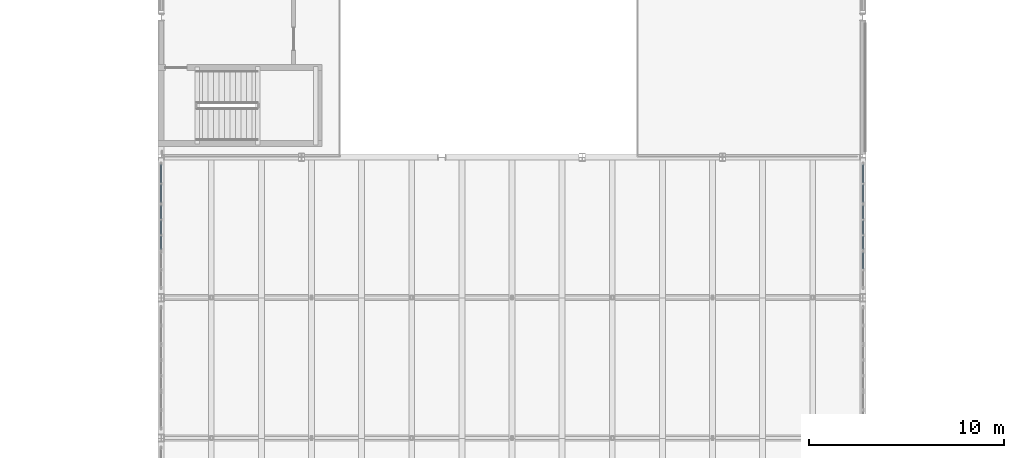
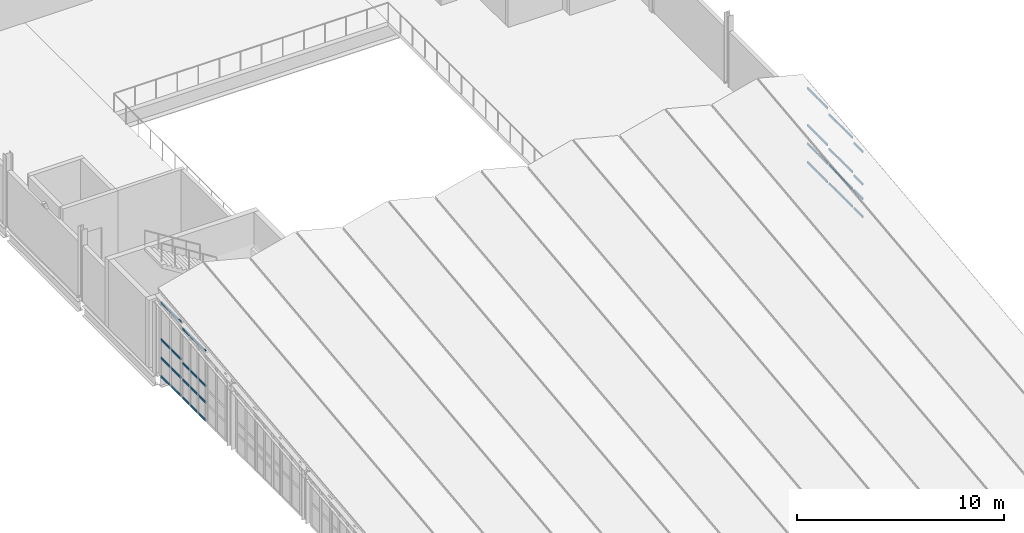
# One storey, part 28 of 48: 44 members, 5 elements without a shape of their own.
"""IFC4 building model written with IfcOpenShell, lengths in metres."""

from ifc_helpers import new_model, si_unit, direction, frame, origin, origin_2d, place, context, subcontext, project, spatial, hollow_rectangle, extrude, material, layer, layer_set, material_profile, profile_set, type_object, element, aggregate, save


model = new_model("IFC4")

# Units and contexts
model_context = context("Model", 3, precision=1e-05, world=origin(), true_north=direction((0.0, 1.0)))
body_context = subcontext(model_context, "Body", "Model", "MODEL_VIEW")
ifc_project = project(units=[si_unit("LENGTHUNIT", "METRE"), si_unit("AREAUNIT", "SQUARE_METRE"), si_unit("VOLUMEUNIT", "CUBIC_METRE"), si_unit("PLANEANGLEUNIT", "RADIAN"), si_unit("MASSUNIT", "GRAM", prefix="KILO"), si_unit("THERMODYNAMICTEMPERATUREUNIT", "KELVIN"), si_unit("POWERUNIT", "WATT")], contexts=[model_context])

# Site, building, storey
site_placement = place(None, origin())
site = spatial("IfcSite", under=ifc_project, at=site_placement, CompositionType="ELEMENT")
building_placement = place(site_placement, origin())
building = spatial("IfcBuilding", under=site, at=building_placement, Name="Kaldorven Railside Theatre", CompositionType="ELEMENT")
storey_placement = place(building_placement, frame((0.0, 0.0, 18.89990234375)))
storey = spatial("IfcBuildingStorey", under=building, at=storey_placement, Name="L04", CompositionType="ELEMENT", Elevation=18.89990234375)

# Curtain wall, members
ifc_material_1 = material(Name="Low-E laminated solar-control glass", Category="glass")
ifc_layer_1 = layer(ifc_material_1, 0.159912109375, Name="Low-E laminated solar-control glass")
ifc_layer_set_1 = layer_set([ifc_layer_1], Name="Low-E laminated solar-control glass")
curtain_wall_type_1 = type_object("IfcCurtainWallType", Name="CWT-39", PredefinedType="USERDEFINED", material=ifc_layer_set_1)
curtain_wall_1_placement = place(storey_placement, origin())
curtain_wall_1 = element("IfcCurtainWall", 1, at=curtain_wall_1_placement, inside=storey, type_object=curtain_wall_type_1, Name="Main Theatre West Eave Clerestory CWG-015", ObjectType="FLUTED GLAZING", PredefinedType="USERDEFINED")
ifc_material_2 = material(Name="Anodised bronze aluminium", Category="aluminium")
ifc_material_profile = material_profile(ifc_material_2, hollow_rectangle(XDim=0.06005859375, YDim=0.1201171875, WallThickness=0.0048828125, at=origin_2d()), Name="RHS 120x60x5")
ifc_profile_set = profile_set([ifc_material_profile], Name="Anodised bronze aluminium")
member_type = type_object("IfcMemberType", Name="CWT-120", PredefinedType="USERDEFINED", material=ifc_profile_set)
member_1_placement = place(storey_placement, frame((87.199951171875, 79.280029296875, 0.050048828125), z_axis=(0.0, 1.0, 0.0), x_axis=(-1.0, 0.0, 0.0)))
member_1 = element("IfcMember", 2, at=member_1_placement, type_object=member_type, Name="CWG-015 transom 1.1", ObjectType="TRANSOM", PredefinedType="USERDEFINED", context=body_context, shape_type="SweptSolid", body=[
    extrude(hollow_rectangle(XDim=0.06005859375, YDim=0.1201171875, WallThickness=0.0048828125, at=origin_2d()), origin(), (0.0, 0.0, 1.0), 0.679931640625),
])
member_2_placement = place(storey_placement, frame((87.199951171875, 79.280029296875, 1.1201171875), z_axis=(0.0, 1.0, 0.0), x_axis=(-1.0, 0.0, 0.0)))
member_2 = element("IfcMember", 3, at=member_2_placement, type_object=member_type, Name="CWG-015 transom 1.2", ObjectType="TRANSOM", PredefinedType="USERDEFINED", context=body_context, shape_type="SweptSolid", body=[
    extrude(hollow_rectangle(XDim=0.06005859375, YDim=0.1201171875, WallThickness=0.0048828125, at=origin_2d()), origin(), (0.0, 0.0, 1.0), 0.679931640625),
])
member_3_placement = place(storey_placement, frame((87.199951171875, 79.280029296875, 2.080078125), z_axis=(0.0, 1.0, 0.0), x_axis=(-1.0, 0.0, 0.0)))
member_3 = element("IfcMember", 4, at=member_3_placement, type_object=member_type, Name="CWG-015 transom 1.3", ObjectType="TRANSOM", PredefinedType="USERDEFINED", context=body_context, shape_type="SweptSolid", body=[
    extrude(hollow_rectangle(XDim=0.06005859375, YDim=0.1201171875, WallThickness=0.0048828125, at=origin_2d()), origin(), (0.0, 0.0, 1.0), 0.679931640625),
])
member_4_placement = place(storey_placement, frame((87.199951171875, 79.280029296875, 4.110107421875), z_axis=(0.0, 1.0, 0.0), x_axis=(-1.0, 0.0, 0.0)))
member_4 = element("IfcMember", 5, at=member_4_placement, type_object=member_type, Name="CWG-015 transom 1.4", ObjectType="TRANSOM", PredefinedType="USERDEFINED", context=body_context, shape_type="SweptSolid", body=[
    extrude(hollow_rectangle(XDim=0.06005859375, YDim=0.1201171875, WallThickness=0.0048828125, at=origin_2d()), origin(), (0.0, 0.0, 1.0), 0.679931640625),
])
member_5_placement = place(storey_placement, frame((87.199951171875, 80.0400390625, 0.050048828125), z_axis=(0.0, 1.0, 0.0), x_axis=(-1.0, 0.0, 0.0)))
member_5 = element("IfcMember", 6, at=member_5_placement, type_object=member_type, Name="CWG-015 transom 2.1", ObjectType="TRANSOM", PredefinedType="USERDEFINED", context=body_context, shape_type="SweptSolid", body=[
    extrude(hollow_rectangle(XDim=0.06005859375, YDim=0.1201171875, WallThickness=0.0048828125, at=origin_2d()), origin(), (0.0, 0.0, 1.0), 0.719970703125),
])
member_6_placement = place(storey_placement, frame((87.199951171875, 80.0400390625, 1.1201171875), z_axis=(0.0, 1.0, 0.0), x_axis=(-1.0, 0.0, 0.0)))
member_6 = element("IfcMember", 7, at=member_6_placement, type_object=member_type, Name="CWG-015 transom 2.2", ObjectType="TRANSOM", PredefinedType="USERDEFINED", context=body_context, shape_type="SweptSolid", body=[
    extrude(hollow_rectangle(XDim=0.06005859375, YDim=0.1201171875, WallThickness=0.0048828125, at=origin_2d()), origin(), (0.0, 0.0, 1.0), 0.719970703125),
])
member_7_placement = place(storey_placement, frame((87.199951171875, 80.0400390625, 2.080078125), z_axis=(0.0, 1.0, 0.0), x_axis=(-1.0, 0.0, 0.0)))
member_7 = element("IfcMember", 8, at=member_7_placement, type_object=member_type, Name="CWG-015 transom 2.3", ObjectType="TRANSOM", PredefinedType="USERDEFINED", context=body_context, shape_type="SweptSolid", body=[
    extrude(hollow_rectangle(XDim=0.06005859375, YDim=0.1201171875, WallThickness=0.0048828125, at=origin_2d()), origin(), (0.0, 0.0, 1.0), 0.719970703125),
])
member_8_placement = place(storey_placement, frame((87.199951171875, 80.0400390625, 4.110107421875), z_axis=(0.0, 1.0, 0.0), x_axis=(-1.0, 0.0, 0.0)))
member_8 = element("IfcMember", 9, at=member_8_placement, type_object=member_type, Name="CWG-015 transom 2.4", ObjectType="TRANSOM", PredefinedType="USERDEFINED", context=body_context, shape_type="SweptSolid", body=[
    extrude(hollow_rectangle(XDim=0.06005859375, YDim=0.1201171875, WallThickness=0.0048828125, at=origin_2d()), origin(), (0.0, 0.0, 1.0), 0.719970703125),
])
member_9_placement = place(storey_placement, frame((87.199951171875, 80.840087890625, 0.050048828125), z_axis=(0.0, 1.0, 0.0), x_axis=(-1.0, 0.0, 0.0)))
member_9 = element("IfcMember", 10, at=member_9_placement, type_object=member_type, Name="CWG-015 transom 3.1", ObjectType="TRANSOM", PredefinedType="USERDEFINED", context=body_context, shape_type="SweptSolid", body=[
    extrude(hollow_rectangle(XDim=0.06005859375, YDim=0.1201171875, WallThickness=0.0048828125, at=origin_2d()), origin(), (0.0, 0.0, 1.0), 0.679931640625),
])
member_10_placement = place(storey_placement, frame((87.199951171875, 80.840087890625, 1.1201171875), z_axis=(0.0, 1.0, 0.0), x_axis=(-1.0, 0.0, 0.0)))
member_10 = element("IfcMember", 11, at=member_10_placement, type_object=member_type, Name="CWG-015 transom 3.2", ObjectType="TRANSOM", PredefinedType="USERDEFINED", context=body_context, shape_type="SweptSolid", body=[
    extrude(hollow_rectangle(XDim=0.06005859375, YDim=0.1201171875, WallThickness=0.0048828125, at=origin_2d()), origin(), (0.0, 0.0, 1.0), 0.679931640625),
])
member_11_placement = place(storey_placement, frame((87.199951171875, 80.840087890625, 2.080078125), z_axis=(0.0, 1.0, 0.0), x_axis=(-1.0, 0.0, 0.0)))
member_11 = element("IfcMember", 12, at=member_11_placement, type_object=member_type, Name="CWG-015 transom 3.3", ObjectType="TRANSOM", PredefinedType="USERDEFINED", context=body_context, shape_type="SweptSolid", body=[
    extrude(hollow_rectangle(XDim=0.06005859375, YDim=0.1201171875, WallThickness=0.0048828125, at=origin_2d()), origin(), (0.0, 0.0, 1.0), 0.679931640625),
])
member_12_placement = place(storey_placement, frame((87.199951171875, 80.840087890625, 4.110107421875), z_axis=(0.0, 1.0, 0.0), x_axis=(-1.0, 0.0, 0.0)))
member_12 = element("IfcMember", 13, at=member_12_placement, type_object=member_type, Name="CWG-015 transom 3.4", ObjectType="TRANSOM", PredefinedType="USERDEFINED", context=body_context, shape_type="SweptSolid", body=[
    extrude(hollow_rectangle(XDim=0.06005859375, YDim=0.1201171875, WallThickness=0.0048828125, at=origin_2d()), origin(), (0.0, 0.0, 1.0), 0.679931640625),
])
aggregate(curtain_wall_1, [member_1, member_2, member_3, member_4, member_5, member_6, member_7, member_8, member_9, member_10, member_11, member_12])

ifc_layer_2 = layer(ifc_material_1, 0.159912109375, Name="Low-E laminated solar-control glass")
ifc_layer_set_2 = layer_set([ifc_layer_2], Name="Low-E laminated solar-control glass")
curtain_wall_type_2 = type_object("IfcCurtainWallType", Name="CWT-40", PredefinedType="USERDEFINED", material=ifc_layer_set_2)
curtain_wall_2_placement = place(storey_placement, origin())
curtain_wall_2 = element("IfcCurtainWall", 14, at=curtain_wall_2_placement, inside=storey, type_object=curtain_wall_type_2, Name="Main Theatre West Eave Clerestory CWG-016", ObjectType="FLUTED GLAZING", PredefinedType="USERDEFINED")
member_13_placement = place(storey_placement, frame((87.199951171875, 81.679931640625, 0.050048828125), z_axis=(0.0, 1.0, 0.0), x_axis=(-1.0, 0.0, 0.0)))
member_13 = element("IfcMember", 15, at=member_13_placement, type_object=member_type, Name="CWG-016 transom 1.1", ObjectType="TRANSOM", PredefinedType="USERDEFINED", context=body_context, shape_type="SweptSolid", body=[
    extrude(hollow_rectangle(XDim=0.06005859375, YDim=0.1201171875, WallThickness=0.0048828125, at=origin_2d()), origin(), (0.0, 0.0, 1.0), 0.929931640625),
])
member_14_placement = place(storey_placement, frame((87.199951171875, 81.679931640625, 1.1201171875), z_axis=(0.0, 1.0, 0.0), x_axis=(-1.0, 0.0, 0.0)))
member_14 = element("IfcMember", 16, at=member_14_placement, type_object=member_type, Name="CWG-016 transom 1.2", ObjectType="TRANSOM", PredefinedType="USERDEFINED", context=body_context, shape_type="SweptSolid", body=[
    extrude(hollow_rectangle(XDim=0.06005859375, YDim=0.1201171875, WallThickness=0.0048828125, at=origin_2d()), origin(), (0.0, 0.0, 1.0), 0.929931640625),
])
member_15_placement = place(storey_placement, frame((87.199951171875, 81.679931640625, 2.22021484375), z_axis=(0.0, 1.0, 0.0), x_axis=(-1.0, 0.0, 0.0)))
member_15 = element("IfcMember", 17, at=member_15_placement, type_object=member_type, Name="CWG-016 transom 1.3", ObjectType="TRANSOM", PredefinedType="USERDEFINED", context=body_context, shape_type="SweptSolid", body=[
    extrude(hollow_rectangle(XDim=0.06005859375, YDim=0.1201171875, WallThickness=0.0048828125, at=origin_2d()), origin(), (0.0, 0.0, 1.0), 0.929931640625),
])
member_16_placement = place(storey_placement, frame((87.199951171875, 81.679931640625, 4.39013671875), z_axis=(0.0, 1.0, 0.0), x_axis=(-1.0, 0.0, 0.0)))
member_16 = element("IfcMember", 18, at=member_16_placement, type_object=member_type, Name="CWG-016 transom 1.4", ObjectType="TRANSOM", PredefinedType="USERDEFINED", context=body_context, shape_type="SweptSolid", body=[
    extrude(hollow_rectangle(XDim=0.06005859375, YDim=0.1201171875, WallThickness=0.0048828125, at=origin_2d()), origin(), (0.0, 0.0, 1.0), 0.929931640625),
])
member_17_placement = place(storey_placement, frame((87.199951171875, 82.68994140625, 0.050048828125), z_axis=(0.0, 1.0, 0.0), x_axis=(-1.0, 0.0, 0.0)))
member_17 = element("IfcMember", 19, at=member_17_placement, type_object=member_type, Name="CWG-016 transom 2.1", ObjectType="TRANSOM", PredefinedType="USERDEFINED", context=body_context, shape_type="SweptSolid", body=[
    extrude(hollow_rectangle(XDim=0.06005859375, YDim=0.1201171875, WallThickness=0.0048828125, at=origin_2d()), origin(), (0.0, 0.0, 1.0), 0.9296875),
])
member_18_placement = place(storey_placement, frame((87.199951171875, 82.68994140625, 1.1201171875), z_axis=(0.0, 1.0, 0.0), x_axis=(-1.0, 0.0, 0.0)))
member_18 = element("IfcMember", 20, at=member_18_placement, type_object=member_type, Name="CWG-016 transom 2.2", ObjectType="TRANSOM", PredefinedType="USERDEFINED", context=body_context, shape_type="SweptSolid", body=[
    extrude(hollow_rectangle(XDim=0.06005859375, YDim=0.1201171875, WallThickness=0.0048828125, at=origin_2d()), origin(), (0.0, 0.0, 1.0), 0.9296875),
])
member_19_placement = place(storey_placement, frame((87.199951171875, 82.68994140625, 2.22021484375), z_axis=(0.0, 1.0, 0.0), x_axis=(-1.0, 0.0, 0.0)))
member_19 = element("IfcMember", 21, at=member_19_placement, type_object=member_type, Name="CWG-016 transom 2.3", ObjectType="TRANSOM", PredefinedType="USERDEFINED", context=body_context, shape_type="SweptSolid", body=[
    extrude(hollow_rectangle(XDim=0.06005859375, YDim=0.1201171875, WallThickness=0.0048828125, at=origin_2d()), origin(), (0.0, 0.0, 1.0), 0.9296875),
])
member_20_placement = place(storey_placement, frame((87.199951171875, 82.68994140625, 4.39013671875), z_axis=(0.0, 1.0, 0.0), x_axis=(-1.0, 0.0, 0.0)))
member_20 = element("IfcMember", 22, at=member_20_placement, type_object=member_type, Name="CWG-016 transom 2.4", ObjectType="TRANSOM", PredefinedType="USERDEFINED", context=body_context, shape_type="SweptSolid", body=[
    extrude(hollow_rectangle(XDim=0.06005859375, YDim=0.1201171875, WallThickness=0.0048828125, at=origin_2d()), origin(), (0.0, 0.0, 1.0), 0.9296875),
])
aggregate(curtain_wall_2, [member_13, member_14, member_15, member_16, member_17, member_18, member_19, member_20])

ifc_layer_3 = layer(ifc_material_1, 0.159912109375, Name="Low-E laminated solar-control glass")
ifc_layer_set_3 = layer_set([ifc_layer_3], Name="Low-E laminated solar-control glass")
curtain_wall_type_3 = type_object("IfcCurtainWallType", Name="CWT-38", PredefinedType="USERDEFINED", material=ifc_layer_set_3)
curtain_wall_3_placement = place(storey_placement, origin())
curtain_wall_3 = element("IfcCurtainWall", 23, at=curtain_wall_3_placement, inside=storey, type_object=curtain_wall_type_3, Name="Main Theatre East Eave Clerestory CWG-030", ObjectType="FLUTED GLAZING", PredefinedType="USERDEFINED")
member_21_placement = place(storey_placement, frame((123.199951171875, 78.2724609375, 0.050048828125), z_axis=(0.0, 1.0, 0.0), x_axis=(-1.0, 0.0, 0.0)))
member_21 = element("IfcMember", 24, at=member_21_placement, type_object=member_type, Name="CWG-030 transom 2.1", ObjectType="TRANSOM", PredefinedType="USERDEFINED", context=body_context, shape_type="SweptSolid", body=[
    extrude(hollow_rectangle(XDim=0.06005859375, YDim=0.1201171875, WallThickness=0.0048828125, at=origin_2d()), origin(), (0.0, 0.0, 1.0), 0.84765625),
])
member_22_placement = place(storey_placement, frame((123.199951171875, 78.2724609375, 1.1201171875), z_axis=(0.0, 1.0, 0.0), x_axis=(-1.0, 0.0, 0.0)))
member_22 = element("IfcMember", 25, at=member_22_placement, type_object=member_type, Name="CWG-030 transom 2.2", ObjectType="TRANSOM", PredefinedType="USERDEFINED", context=body_context, shape_type="SweptSolid", body=[
    extrude(hollow_rectangle(XDim=0.06005859375, YDim=0.1201171875, WallThickness=0.0048828125, at=origin_2d()), origin(), (0.0, 0.0, 1.0), 0.84765625),
])
member_23_placement = place(storey_placement, frame((123.199951171875, 78.2724609375, 1.97021484375), z_axis=(0.0, 1.0, 0.0), x_axis=(-1.0, 0.0, 0.0)))
member_23 = element("IfcMember", 26, at=member_23_placement, type_object=member_type, Name="CWG-030 transom 2.3", ObjectType="TRANSOM", PredefinedType="USERDEFINED", context=body_context, shape_type="SweptSolid", body=[
    extrude(hollow_rectangle(XDim=0.06005859375, YDim=0.1201171875, WallThickness=0.0048828125, at=origin_2d()), origin(), (0.0, 0.0, 1.0), 0.84765625),
])
member_24_placement = place(storey_placement, frame((123.199951171875, 78.2724609375, 3.89013671875), z_axis=(0.0, 1.0, 0.0), x_axis=(-1.0, 0.0, 0.0)))
member_24 = element("IfcMember", 27, at=member_24_placement, type_object=member_type, Name="CWG-030 transom 2.4", ObjectType="TRANSOM", PredefinedType="USERDEFINED", context=body_context, shape_type="SweptSolid", body=[
    extrude(hollow_rectangle(XDim=0.06005859375, YDim=0.1201171875, WallThickness=0.0048828125, at=origin_2d()), origin(), (0.0, 0.0, 1.0), 0.84765625),
])
aggregate(curtain_wall_3, [member_21, member_22, member_23, member_24])

curtain_wall_4_placement = place(storey_placement, origin())
curtain_wall_4 = element("IfcCurtainWall", 28, at=curtain_wall_4_placement, inside=storey, type_object=curtain_wall_type_1, Name="Main Theatre East Eave Clerestory CWG-031", ObjectType="FLUTED GLAZING", PredefinedType="USERDEFINED")
member_25_placement = place(storey_placement, frame((123.199951171875, 79.280029296875, 0.050048828125), z_axis=(0.0, 1.0, 0.0), x_axis=(-1.0, 0.0, 0.0)))
member_25 = element("IfcMember", 29, at=member_25_placement, type_object=member_type, Name="CWG-031 transom 1.1", ObjectType="TRANSOM", PredefinedType="USERDEFINED", context=body_context, shape_type="SweptSolid", body=[
    extrude(hollow_rectangle(XDim=0.06005859375, YDim=0.1201171875, WallThickness=0.0048828125, at=origin_2d()), origin(), (0.0, 0.0, 1.0), 0.679931640625),
])
member_26_placement = place(storey_placement, frame((123.199951171875, 79.280029296875, 1.1201171875), z_axis=(0.0, 1.0, 0.0), x_axis=(-1.0, 0.0, 0.0)))
member_26 = element("IfcMember", 30, at=member_26_placement, type_object=member_type, Name="CWG-031 transom 1.2", ObjectType="TRANSOM", PredefinedType="USERDEFINED", context=body_context, shape_type="SweptSolid", body=[
    extrude(hollow_rectangle(XDim=0.06005859375, YDim=0.1201171875, WallThickness=0.0048828125, at=origin_2d()), origin(), (0.0, 0.0, 1.0), 0.679931640625),
])
member_27_placement = place(storey_placement, frame((123.199951171875, 79.280029296875, 2.080078125), z_axis=(0.0, 1.0, 0.0), x_axis=(-1.0, 0.0, 0.0)))
member_27 = element("IfcMember", 31, at=member_27_placement, type_object=member_type, Name="CWG-031 transom 1.3", ObjectType="TRANSOM", PredefinedType="USERDEFINED", context=body_context, shape_type="SweptSolid", body=[
    extrude(hollow_rectangle(XDim=0.06005859375, YDim=0.1201171875, WallThickness=0.0048828125, at=origin_2d()), origin(), (0.0, 0.0, 1.0), 0.679931640625),
])
member_28_placement = place(storey_placement, frame((123.199951171875, 79.280029296875, 4.110107421875), z_axis=(0.0, 1.0, 0.0), x_axis=(-1.0, 0.0, 0.0)))
member_28 = element("IfcMember", 32, at=member_28_placement, type_object=member_type, Name="CWG-031 transom 1.4", ObjectType="TRANSOM", PredefinedType="USERDEFINED", context=body_context, shape_type="SweptSolid", body=[
    extrude(hollow_rectangle(XDim=0.06005859375, YDim=0.1201171875, WallThickness=0.0048828125, at=origin_2d()), origin(), (0.0, 0.0, 1.0), 0.679931640625),
])
member_29_placement = place(storey_placement, frame((123.199951171875, 80.0400390625, 0.050048828125), z_axis=(0.0, 1.0, 0.0), x_axis=(-1.0, 0.0, 0.0)))
member_29 = element("IfcMember", 33, at=member_29_placement, type_object=member_type, Name="CWG-031 transom 2.1", ObjectType="TRANSOM", PredefinedType="USERDEFINED", context=body_context, shape_type="SweptSolid", body=[
    extrude(hollow_rectangle(XDim=0.06005859375, YDim=0.1201171875, WallThickness=0.0048828125, at=origin_2d()), origin(), (0.0, 0.0, 1.0), 0.719970703125),
])
member_30_placement = place(storey_placement, frame((123.199951171875, 80.0400390625, 1.1201171875), z_axis=(0.0, 1.0, 0.0), x_axis=(-1.0, 0.0, 0.0)))
member_30 = element("IfcMember", 34, at=member_30_placement, type_object=member_type, Name="CWG-031 transom 2.2", ObjectType="TRANSOM", PredefinedType="USERDEFINED", context=body_context, shape_type="SweptSolid", body=[
    extrude(hollow_rectangle(XDim=0.06005859375, YDim=0.1201171875, WallThickness=0.0048828125, at=origin_2d()), origin(), (0.0, 0.0, 1.0), 0.719970703125),
])
member_31_placement = place(storey_placement, frame((123.199951171875, 80.0400390625, 2.080078125), z_axis=(0.0, 1.0, 0.0), x_axis=(-1.0, 0.0, 0.0)))
member_31 = element("IfcMember", 35, at=member_31_placement, type_object=member_type, Name="CWG-031 transom 2.3", ObjectType="TRANSOM", PredefinedType="USERDEFINED", context=body_context, shape_type="SweptSolid", body=[
    extrude(hollow_rectangle(XDim=0.06005859375, YDim=0.1201171875, WallThickness=0.0048828125, at=origin_2d()), origin(), (0.0, 0.0, 1.0), 0.719970703125),
])
member_32_placement = place(storey_placement, frame((123.199951171875, 80.0400390625, 4.110107421875), z_axis=(0.0, 1.0, 0.0), x_axis=(-1.0, 0.0, 0.0)))
member_32 = element("IfcMember", 36, at=member_32_placement, type_object=member_type, Name="CWG-031 transom 2.4", ObjectType="TRANSOM", PredefinedType="USERDEFINED", context=body_context, shape_type="SweptSolid", body=[
    extrude(hollow_rectangle(XDim=0.06005859375, YDim=0.1201171875, WallThickness=0.0048828125, at=origin_2d()), origin(), (0.0, 0.0, 1.0), 0.719970703125),
])
member_33_placement = place(storey_placement, frame((123.199951171875, 80.840087890625, 0.050048828125), z_axis=(0.0, 1.0, 0.0), x_axis=(-1.0, 0.0, 0.0)))
member_33 = element("IfcMember", 37, at=member_33_placement, type_object=member_type, Name="CWG-031 transom 3.1", ObjectType="TRANSOM", PredefinedType="USERDEFINED", context=body_context, shape_type="SweptSolid", body=[
    extrude(hollow_rectangle(XDim=0.06005859375, YDim=0.1201171875, WallThickness=0.0048828125, at=origin_2d()), origin(), (0.0, 0.0, 1.0), 0.679931640625),
])
member_34_placement = place(storey_placement, frame((123.199951171875, 80.840087890625, 1.1201171875), z_axis=(0.0, 1.0, 0.0), x_axis=(-1.0, 0.0, 0.0)))
member_34 = element("IfcMember", 38, at=member_34_placement, type_object=member_type, Name="CWG-031 transom 3.2", ObjectType="TRANSOM", PredefinedType="USERDEFINED", context=body_context, shape_type="SweptSolid", body=[
    extrude(hollow_rectangle(XDim=0.06005859375, YDim=0.1201171875, WallThickness=0.0048828125, at=origin_2d()), origin(), (0.0, 0.0, 1.0), 0.679931640625),
])
member_35_placement = place(storey_placement, frame((123.199951171875, 80.840087890625, 2.080078125), z_axis=(0.0, 1.0, 0.0), x_axis=(-1.0, 0.0, 0.0)))
member_35 = element("IfcMember", 39, at=member_35_placement, type_object=member_type, Name="CWG-031 transom 3.3", ObjectType="TRANSOM", PredefinedType="USERDEFINED", context=body_context, shape_type="SweptSolid", body=[
    extrude(hollow_rectangle(XDim=0.06005859375, YDim=0.1201171875, WallThickness=0.0048828125, at=origin_2d()), origin(), (0.0, 0.0, 1.0), 0.679931640625),
])
member_36_placement = place(storey_placement, frame((123.199951171875, 80.840087890625, 4.110107421875), z_axis=(0.0, 1.0, 0.0), x_axis=(-1.0, 0.0, 0.0)))
member_36 = element("IfcMember", 40, at=member_36_placement, type_object=member_type, Name="CWG-031 transom 3.4", ObjectType="TRANSOM", PredefinedType="USERDEFINED", context=body_context, shape_type="SweptSolid", body=[
    extrude(hollow_rectangle(XDim=0.06005859375, YDim=0.1201171875, WallThickness=0.0048828125, at=origin_2d()), origin(), (0.0, 0.0, 1.0), 0.679931640625),
])
aggregate(curtain_wall_4, [member_25, member_26, member_27, member_28, member_29, member_30, member_31, member_32, member_33, member_34, member_35, member_36])

curtain_wall_5_placement = place(storey_placement, origin())
curtain_wall_5 = element("IfcCurtainWall", 41, at=curtain_wall_5_placement, inside=storey, type_object=curtain_wall_type_2, Name="Main Theatre East Eave Clerestory CWG-032", ObjectType="FLUTED GLAZING", PredefinedType="USERDEFINED")
member_37_placement = place(storey_placement, frame((123.199951171875, 81.679931640625, 0.050048828125), z_axis=(0.0, 1.0, 0.0), x_axis=(-1.0, 0.0, 0.0)))
member_37 = element("IfcMember", 42, at=member_37_placement, type_object=member_type, Name="CWG-032 transom 1.1", ObjectType="TRANSOM", PredefinedType="USERDEFINED", context=body_context, shape_type="SweptSolid", body=[
    extrude(hollow_rectangle(XDim=0.06005859375, YDim=0.1201171875, WallThickness=0.0048828125, at=origin_2d()), origin(), (0.0, 0.0, 1.0), 0.929931640625),
])
member_38_placement = place(storey_placement, frame((123.199951171875, 81.679931640625, 1.1201171875), z_axis=(0.0, 1.0, 0.0), x_axis=(-1.0, 0.0, 0.0)))
member_38 = element("IfcMember", 43, at=member_38_placement, type_object=member_type, Name="CWG-032 transom 1.2", ObjectType="TRANSOM", PredefinedType="USERDEFINED", context=body_context, shape_type="SweptSolid", body=[
    extrude(hollow_rectangle(XDim=0.06005859375, YDim=0.1201171875, WallThickness=0.0048828125, at=origin_2d()), origin(), (0.0, 0.0, 1.0), 0.929931640625),
])
member_39_placement = place(storey_placement, frame((123.199951171875, 81.679931640625, 2.22021484375), z_axis=(0.0, 1.0, 0.0), x_axis=(-1.0, 0.0, 0.0)))
member_39 = element("IfcMember", 44, at=member_39_placement, type_object=member_type, Name="CWG-032 transom 1.3", ObjectType="TRANSOM", PredefinedType="USERDEFINED", context=body_context, shape_type="SweptSolid", body=[
    extrude(hollow_rectangle(XDim=0.06005859375, YDim=0.1201171875, WallThickness=0.0048828125, at=origin_2d()), origin(), (0.0, 0.0, 1.0), 0.929931640625),
])
member_40_placement = place(storey_placement, frame((123.199951171875, 81.679931640625, 4.39013671875), z_axis=(0.0, 1.0, 0.0), x_axis=(-1.0, 0.0, 0.0)))
member_40 = element("IfcMember", 45, at=member_40_placement, type_object=member_type, Name="CWG-032 transom 1.4", ObjectType="TRANSOM", PredefinedType="USERDEFINED", context=body_context, shape_type="SweptSolid", body=[
    extrude(hollow_rectangle(XDim=0.06005859375, YDim=0.1201171875, WallThickness=0.0048828125, at=origin_2d()), origin(), (0.0, 0.0, 1.0), 0.929931640625),
])
member_41_placement = place(storey_placement, frame((123.199951171875, 82.68994140625, 0.050048828125), z_axis=(0.0, 1.0, 0.0), x_axis=(-1.0, 0.0, 0.0)))
member_41 = element("IfcMember", 46, at=member_41_placement, type_object=member_type, Name="CWG-032 transom 2.1", ObjectType="TRANSOM", PredefinedType="USERDEFINED", context=body_context, shape_type="SweptSolid", body=[
    extrude(hollow_rectangle(XDim=0.06005859375, YDim=0.1201171875, WallThickness=0.0048828125, at=origin_2d()), origin(), (0.0, 0.0, 1.0), 0.9296875),
])
member_42_placement = place(storey_placement, frame((123.199951171875, 82.68994140625, 1.1201171875), z_axis=(0.0, 1.0, 0.0), x_axis=(-1.0, 0.0, 0.0)))
member_42 = element("IfcMember", 47, at=member_42_placement, type_object=member_type, Name="CWG-032 transom 2.2", ObjectType="TRANSOM", PredefinedType="USERDEFINED", context=body_context, shape_type="SweptSolid", body=[
    extrude(hollow_rectangle(XDim=0.06005859375, YDim=0.1201171875, WallThickness=0.0048828125, at=origin_2d()), origin(), (0.0, 0.0, 1.0), 0.9296875),
])
member_43_placement = place(storey_placement, frame((123.199951171875, 82.68994140625, 2.22021484375), z_axis=(0.0, 1.0, 0.0), x_axis=(-1.0, 0.0, 0.0)))
member_43 = element("IfcMember", 48, at=member_43_placement, type_object=member_type, Name="CWG-032 transom 2.3", ObjectType="TRANSOM", PredefinedType="USERDEFINED", context=body_context, shape_type="SweptSolid", body=[
    extrude(hollow_rectangle(XDim=0.06005859375, YDim=0.1201171875, WallThickness=0.0048828125, at=origin_2d()), origin(), (0.0, 0.0, 1.0), 0.9296875),
])
member_44_placement = place(storey_placement, frame((123.199951171875, 82.68994140625, 4.39013671875), z_axis=(0.0, 1.0, 0.0), x_axis=(-1.0, 0.0, 0.0)))
member_44 = element("IfcMember", 49, at=member_44_placement, type_object=member_type, Name="CWG-032 transom 2.4", ObjectType="TRANSOM", PredefinedType="USERDEFINED", context=body_context, shape_type="SweptSolid", body=[
    extrude(hollow_rectangle(XDim=0.06005859375, YDim=0.1201171875, WallThickness=0.0048828125, at=origin_2d()), origin(), (0.0, 0.0, 1.0), 0.9296875),
])
aggregate(curtain_wall_5, [member_37, member_38, member_39, member_40, member_41, member_42, member_43, member_44])

save(model, "model.ifc")
